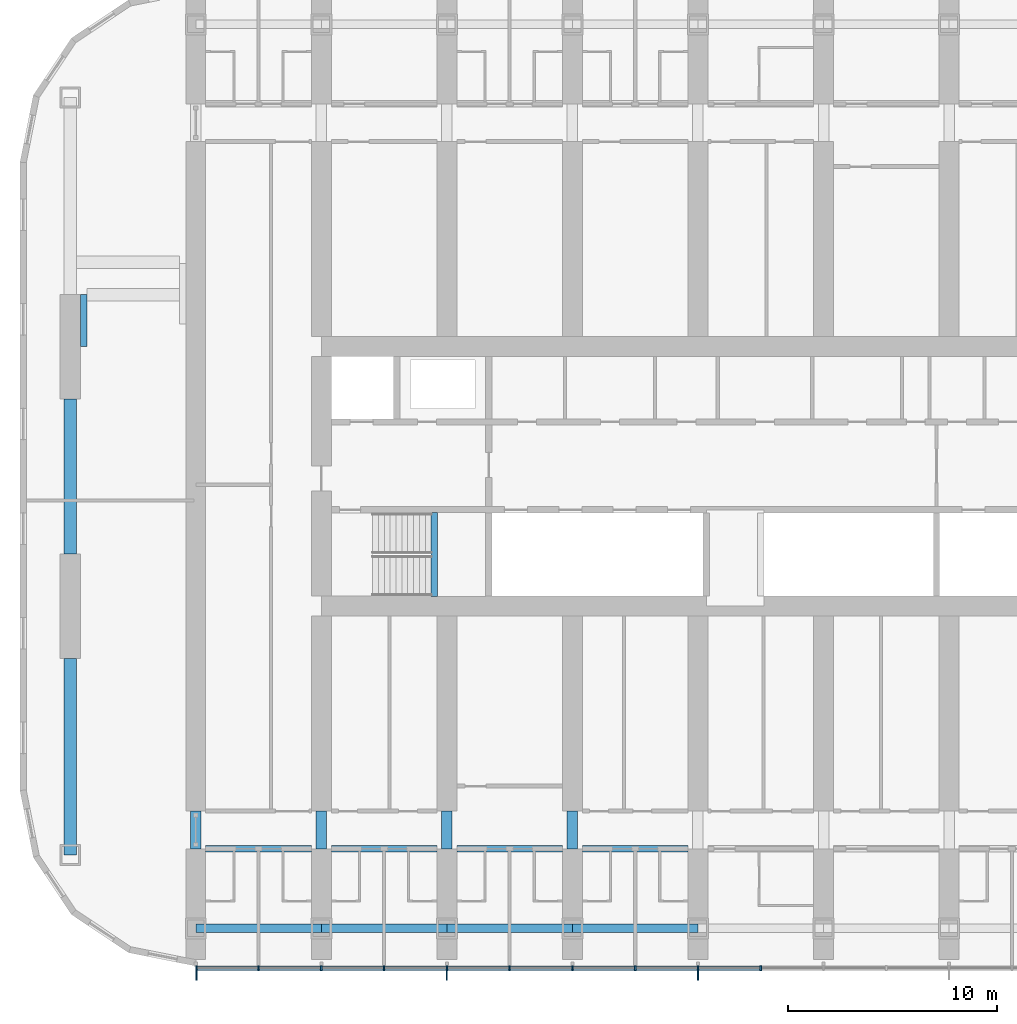
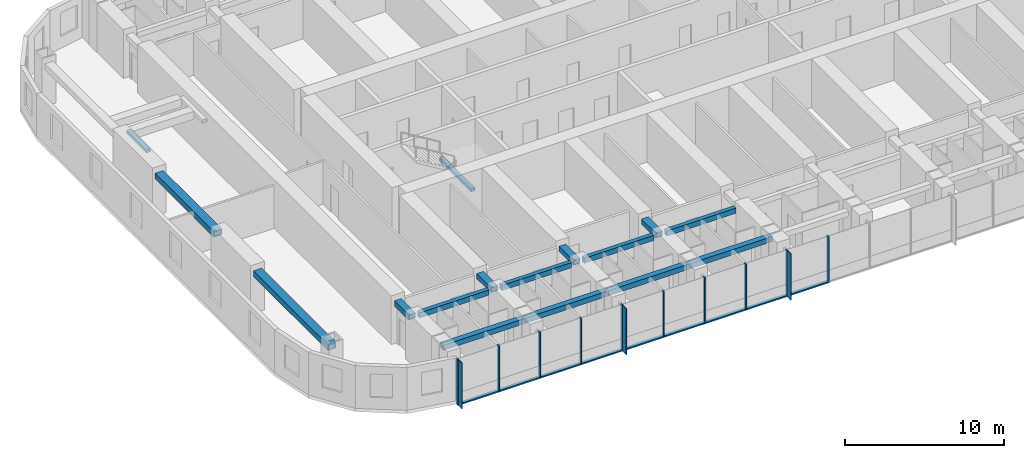
# One storey, part 2 of 22: 22 members, 16 beams, 1 element without a shape of its own.
"""IFC4 building model written with IfcOpenShell, lengths in metres."""

from ifc_helpers import new_model, si_unit, direction, frame, origin, origin_2d, place, context, subcontext, project, spatial, rectangle, hollow_rectangle, extrude, material, material_profile, profile_set, type_object, element, aggregate, save


model = new_model("IFC4")

# Units and contexts
model_context = context("Model", 3, precision=1e-05, world=origin(), true_north=direction((0.0, 1.0)))
body_context = subcontext(model_context, "Body", "Model", "MODEL_VIEW")
ifc_project = project(units=[si_unit("LENGTHUNIT", "METRE"), si_unit("AREAUNIT", "SQUARE_METRE"), si_unit("VOLUMEUNIT", "CUBIC_METRE"), si_unit("PLANEANGLEUNIT", "RADIAN"), si_unit("MASSUNIT", "GRAM", prefix="KILO")], contexts=[model_context])

# Site, building, storey
site_placement = place(None, origin())
site = spatial("IfcSite", under=ifc_project, at=site_placement, CompositionType="ELEMENT")
building_placement = place(site_placement, origin())
building = spatial("IfcBuilding", under=site, at=building_placement, Name="Orbita Commons", CompositionType="ELEMENT")
storey_placement = place(building_placement, frame((0.0, 0.0, 80.64990234375)))
storey = spatial("IfcBuildingStorey", under=building, at=storey_placement, Name="L19", CompositionType="ELEMENT", Elevation=80.64990234375)

# Curtain wall, members
ifc_material_1 = material(Name="Anodised aluminium frame, pale silver", Category="aluminium")
curtain_wall_type = type_object("IfcCurtainWallType", Name="Unitised curtain wall CW-T, vision and spandrel", PredefinedType="NOTDEFINED", material=ifc_material_1)
curtain_wall_placement = place(storey_placement, origin())
curtain_wall = element("IfcCurtainWall", 1, at=curtain_wall_placement, inside=storey, type_object=curtain_wall_type, Name="Curtain wall south L19", PredefinedType="NOTDEFINED")
ifc_material_2 = material(Name="Anodised aluminium, pale silver", Category="aluminium")
ifc_material_profile_1 = material_profile(ifc_material_2, rectangle(XDim=0.080078125, YDim=0.219970703125, at=origin_2d()), Name="AL 80x220")
ifc_profile_set_1 = profile_set([ifc_material_profile_1], Name="Anodised aluminium, pale silver")
member_type_1 = type_object("IfcMemberType", Name="Curtain wall mullion 80x220", PredefinedType="MULLION", material=ifc_profile_set_1)
member_1_placement = place(storey_placement, frame((12.0400390625, 8.489990234375, -0.25), z_axis=(0.0, 0.0, 1.0), x_axis=(1.0, 0.0, 0.0)))
member_1 = element("IfcMember", 2, at=member_1_placement, type_object=member_type_1, Name="Mullion 1 CW-L19-S", PredefinedType="MULLION", context=body_context, shape_type="SweptSolid", body=[
    extrude(rectangle(XDim=0.080078125, YDim=0.219970703125, at=origin_2d()), origin(), (0.0, 0.0, 1.0), 3.550048828125),
])
member_2_placement = place(storey_placement, frame((15.0, 8.489990234375, -0.25), z_axis=(0.0, 0.0, 1.0), x_axis=(1.0, 0.0, 0.0)))
member_2 = element("IfcMember", 3, at=member_2_placement, type_object=member_type_1, Name="Mullion 2 CW-L19-S", PredefinedType="MULLION", context=body_context, shape_type="SweptSolid", body=[
    extrude(rectangle(XDim=0.080078125, YDim=0.219970703125, at=origin_2d()), origin(), (0.0, 0.0, 1.0), 3.550048828125),
])
member_3_placement = place(storey_placement, frame((18.0, 8.489990234375, -0.25), z_axis=(0.0, 0.0, 1.0), x_axis=(1.0, 0.0, 0.0)))
member_3 = element("IfcMember", 4, at=member_3_placement, type_object=member_type_1, Name="Mullion 3 CW-L19-S", PredefinedType="MULLION", context=body_context, shape_type="SweptSolid", body=[
    extrude(rectangle(XDim=0.080078125, YDim=0.219970703125, at=origin_2d()), origin(), (0.0, 0.0, 1.0), 3.550048828125),
])
member_4_placement = place(storey_placement, frame((21.0, 8.489990234375, -0.25), z_axis=(0.0, 0.0, 1.0), x_axis=(1.0, 0.0, 0.0)))
member_4 = element("IfcMember", 5, at=member_4_placement, type_object=member_type_1, Name="Mullion 4 CW-L19-S", PredefinedType="MULLION", context=body_context, shape_type="SweptSolid", body=[
    extrude(rectangle(XDim=0.080078125, YDim=0.219970703125, at=origin_2d()), origin(), (0.0, 0.0, 1.0), 3.550048828125),
])
member_5_placement = place(storey_placement, frame((24.0, 8.489990234375, -0.25), z_axis=(0.0, 0.0, 1.0), x_axis=(1.0, 0.0, 0.0)))
member_5 = element("IfcMember", 6, at=member_5_placement, type_object=member_type_1, Name="Mullion 5 CW-L19-S", PredefinedType="MULLION", context=body_context, shape_type="SweptSolid", body=[
    extrude(rectangle(XDim=0.080078125, YDim=0.219970703125, at=origin_2d()), origin(), (0.0, 0.0, 1.0), 3.550048828125),
])
member_6_placement = place(storey_placement, frame((27.0, 8.489990234375, -0.25), z_axis=(0.0, 0.0, 1.0), x_axis=(1.0, 0.0, 0.0)))
member_6 = element("IfcMember", 7, at=member_6_placement, type_object=member_type_1, Name="Mullion 6 CW-L19-S", PredefinedType="MULLION", context=body_context, shape_type="SweptSolid", body=[
    extrude(rectangle(XDim=0.080078125, YDim=0.219970703125, at=origin_2d()), origin(), (0.0, 0.0, 1.0), 3.550048828125),
])
member_7_placement = place(storey_placement, frame((30.0, 8.489990234375, -0.25), z_axis=(0.0, 0.0, 1.0), x_axis=(1.0, 0.0, 0.0)))
member_7 = element("IfcMember", 8, at=member_7_placement, type_object=member_type_1, Name="Mullion 7 CW-L19-S", PredefinedType="MULLION", context=body_context, shape_type="SweptSolid", body=[
    extrude(rectangle(XDim=0.080078125, YDim=0.219970703125, at=origin_2d()), origin(), (0.0, 0.0, 1.0), 3.550048828125),
])
member_8_placement = place(storey_placement, frame((33.0, 8.489990234375, -0.25), z_axis=(0.0, 0.0, 1.0), x_axis=(1.0, 0.0, 0.0)))
member_8 = element("IfcMember", 9, at=member_8_placement, type_object=member_type_1, Name="Mullion 8 CW-L19-S", PredefinedType="MULLION", context=body_context, shape_type="SweptSolid", body=[
    extrude(rectangle(XDim=0.080078125, YDim=0.219970703125, at=origin_2d()), origin(), (0.0, 0.0, 1.0), 3.550048828125),
])
member_9_placement = place(storey_placement, frame((36.0, 8.489990234375, -0.25), z_axis=(0.0, 0.0, 1.0), x_axis=(1.0, 0.0, 0.0)))
member_9 = element("IfcMember", 10, at=member_9_placement, type_object=member_type_1, Name="Mullion 9 CW-L19-S", PredefinedType="MULLION", context=body_context, shape_type="SweptSolid", body=[
    extrude(rectangle(XDim=0.080078125, YDim=0.219970703125, at=origin_2d()), origin(), (0.0, 0.0, 1.0), 3.550048828125),
])
member_10_placement = place(storey_placement, frame((39.0, 8.489990234375, -0.25), z_axis=(0.0, 0.0, 1.0), x_axis=(1.0, 0.0, 0.0)))
member_10 = element("IfcMember", 11, at=member_10_placement, type_object=member_type_1, Name="Mullion 10 CW-L19-S", PredefinedType="MULLION", context=body_context, shape_type="SweptSolid", body=[
    extrude(rectangle(XDim=0.080078125, YDim=0.219970703125, at=origin_2d()), origin(), (0.0, 0.0, 1.0), 3.550048828125),
])
ifc_material_3 = material(Name="Anodised aluminium, pale silver", Category="aluminium")
ifc_material_profile_2 = material_profile(ifc_material_3, rectangle(XDim=0.219970703125, YDim=0.10009765625, at=origin_2d()), Name="AL 220x100")
ifc_profile_set_2 = profile_set([ifc_material_profile_2], Name="Anodised aluminium, pale silver")
member_type_2 = type_object("IfcMemberType", Name="Curtain wall stack transom 220x100", PredefinedType="USERDEFINED", material=ifc_profile_set_2)
member_11_placement = place(storey_placement, frame((12.080078125, 8.489990234375, -0.199951171875), z_axis=(1.0, 0.0, 0.0), x_axis=(0.0, 1.0, 0.0)))
member_11 = element("IfcMember", 12, at=member_11_placement, type_object=member_type_2, Name="Transom 1.1 CW-L19-S", ObjectType="TRANSOM", PredefinedType="USERDEFINED", context=body_context, shape_type="SweptSolid", body=[
    extrude(rectangle(XDim=0.219970703125, YDim=0.10009765625, at=origin_2d()), origin(), (0.0, 0.0, 1.0), 2.8798828125),
])
member_12_placement = place(storey_placement, frame((15.0400390625, 8.489990234375, -0.199951171875), z_axis=(1.0, 0.0, 0.0), x_axis=(0.0, 1.0, 0.0)))
member_12 = element("IfcMember", 13, at=member_12_placement, type_object=member_type_2, Name="Transom 2.1 CW-L19-S", ObjectType="TRANSOM", PredefinedType="USERDEFINED", context=body_context, shape_type="SweptSolid", body=[
    extrude(rectangle(XDim=0.219970703125, YDim=0.10009765625, at=origin_2d()), origin(), (0.0, 0.0, 1.0), 2.919921875),
])
member_13_placement = place(storey_placement, frame((18.0400390625, 8.489990234375, -0.199951171875), z_axis=(1.0, 0.0, 0.0), x_axis=(0.0, 1.0, 0.0)))
member_13 = element("IfcMember", 14, at=member_13_placement, type_object=member_type_2, Name="Transom 3.1 CW-L19-S", ObjectType="TRANSOM", PredefinedType="USERDEFINED", context=body_context, shape_type="SweptSolid", body=[
    extrude(rectangle(XDim=0.219970703125, YDim=0.10009765625, at=origin_2d()), origin(), (0.0, 0.0, 1.0), 2.919921875),
])
member_14_placement = place(storey_placement, frame((21.0400390625, 8.489990234375, -0.199951171875), z_axis=(1.0, 0.0, 0.0), x_axis=(0.0, 1.0, 0.0)))
member_14 = element("IfcMember", 15, at=member_14_placement, type_object=member_type_2, Name="Transom 4.1 CW-L19-S", ObjectType="TRANSOM", PredefinedType="USERDEFINED", context=body_context, shape_type="SweptSolid", body=[
    extrude(rectangle(XDim=0.219970703125, YDim=0.10009765625, at=origin_2d()), origin(), (0.0, 0.0, 1.0), 2.919921875),
])
member_15_placement = place(storey_placement, frame((24.0400390625, 8.489990234375, -0.199951171875), z_axis=(1.0, 0.0, 0.0), x_axis=(0.0, 1.0, 0.0)))
member_15 = element("IfcMember", 16, at=member_15_placement, type_object=member_type_2, Name="Transom 5.1 CW-L19-S", ObjectType="TRANSOM", PredefinedType="USERDEFINED", context=body_context, shape_type="SweptSolid", body=[
    extrude(rectangle(XDim=0.219970703125, YDim=0.10009765625, at=origin_2d()), origin(), (0.0, 0.0, 1.0), 2.919921875),
])
member_16_placement = place(storey_placement, frame((27.0400390625, 8.489990234375, -0.199951171875), z_axis=(1.0, 0.0, 0.0), x_axis=(0.0, 1.0, 0.0)))
member_16 = element("IfcMember", 17, at=member_16_placement, type_object=member_type_2, Name="Transom 6.1 CW-L19-S", ObjectType="TRANSOM", PredefinedType="USERDEFINED", context=body_context, shape_type="SweptSolid", body=[
    extrude(rectangle(XDim=0.219970703125, YDim=0.10009765625, at=origin_2d()), origin(), (0.0, 0.0, 1.0), 2.919921875),
])
member_17_placement = place(storey_placement, frame((30.0400390625, 8.489990234375, -0.199951171875), z_axis=(1.0, 0.0, 0.0), x_axis=(0.0, 1.0, 0.0)))
member_17 = element("IfcMember", 18, at=member_17_placement, type_object=member_type_2, Name="Transom 7.1 CW-L19-S", ObjectType="TRANSOM", PredefinedType="USERDEFINED", context=body_context, shape_type="SweptSolid", body=[
    extrude(rectangle(XDim=0.219970703125, YDim=0.10009765625, at=origin_2d()), origin(), (0.0, 0.0, 1.0), 2.919921875),
])
member_18_placement = place(storey_placement, frame((33.0400390625, 8.489990234375, -0.199951171875), z_axis=(1.0, 0.0, 0.0), x_axis=(0.0, 1.0, 0.0)))
member_18 = element("IfcMember", 19, at=member_18_placement, type_object=member_type_2, Name="Transom 8.1 CW-L19-S", ObjectType="TRANSOM", PredefinedType="USERDEFINED", context=body_context, shape_type="SweptSolid", body=[
    extrude(rectangle(XDim=0.219970703125, YDim=0.10009765625, at=origin_2d()), origin(), (0.0, 0.0, 1.0), 2.919921875),
])
member_19_placement = place(storey_placement, frame((36.0400390625, 8.489990234375, -0.199951171875), z_axis=(1.0, 0.0, 0.0), x_axis=(0.0, 1.0, 0.0)))
member_19 = element("IfcMember", 20, at=member_19_placement, type_object=member_type_2, Name="Transom 9.1 CW-L19-S", ObjectType="TRANSOM", PredefinedType="USERDEFINED", context=body_context, shape_type="SweptSolid", body=[
    extrude(rectangle(XDim=0.219970703125, YDim=0.10009765625, at=origin_2d()), origin(), (0.0, 0.0, 1.0), 2.919921875),
])

# Beams
ifc_material_4 = material(Name="Steel ASTM A572 Gr 50 welded plate", Category="steel")
ifc_material_profile_3 = material_profile(ifc_material_4, hollow_rectangle(XDim=0.300048828125, YDim=0.25, WallThickness=0.02490234375, at=origin_2d()), Name="BOX 250x300x25")
ifc_profile_set_3 = profile_set([ifc_material_profile_3], Name="Steel ASTM A572 Gr 50 welded plate")
beam_type_1 = type_object("IfcBeamType", Name="Stair landing beam steel BOX 250x300x25", PredefinedType="BEAM", material=ifc_profile_set_3)
beam_1_placement = place(storey_placement, frame((23.39990234375, 26.260009765625, 1.550048828125), z_axis=(0.0, 1.0, 0.0), x_axis=(-1.0, 0.0, 0.0)))
element("IfcBeam", 21, at=beam_1_placement, inside=storey, type_object=beam_type_1, Name="Stair S1 landing beam L19 1", PredefinedType="BEAM", context=body_context, shape_type="SweptSolid", body=[
    extrude(hollow_rectangle(XDim=0.300048828125, YDim=0.25, WallThickness=0.02490234375, at=origin_2d()), origin(), (0.0, 0.0, 1.0), 4.0048828125),
])
ifc_material_5 = material(Name="Steel ASTM A572 Gr 50 welded plate", Category="steel")
ifc_material_profile_4 = material_profile(ifc_material_5, hollow_rectangle(XDim=0.300048828125, YDim=0.39990234375, WallThickness=0.0400390625, at=origin_2d()), Name="BOX 400x300x40")
ifc_profile_set_4 = profile_set([ifc_material_profile_4], Name="Steel ASTM A572 Gr 50 welded plate")
beam_type_2 = type_object("IfcBeamType", Name="Steel corridor link BOX 400x300x40", PredefinedType="BEAM", material=ifc_profile_set_4)
for number, where, z_axis, x_axis, name in (
    (22, (12.47509765625, 14.199951171875, 3.10009765625), (1.0, 0.0, 0.0), (0.0, 1.0, 0.0), "Corridor beam SA 3-4 L19"),
    (23, (18.47509765625, 14.199951171875, 3.10009765625), (1.0, 0.0, 0.0), (0.0, 1.0, 0.0), "Corridor beam SA 4-5 L19"),
    (24, (24.47509765625, 14.199951171875, 3.10009765625), (1.0, 0.0, 0.0), (0.0, 1.0, 0.0), "Corridor beam SA 5-6 L19"),
    (25, (30.47509765625, 14.199951171875, 3.10009765625), (1.0, 0.0, 0.0), (0.0, 1.0, 0.0), "Corridor beam SA 6-7 L19"),
):
    element("IfcBeam", number, at=place(storey_placement, frame(where, z_axis=z_axis, x_axis=x_axis)), inside=storey, type_object=beam_type_2, Name=name, PredefinedType="BEAM", context=body_context, shape_type="SweptSolid", body=[
        extrude(hollow_rectangle(XDim=0.300048828125, YDim=0.39990234375, WallThickness=0.0400390625, at=origin_2d()), origin(), (0.0, 0.0, 1.0), 5.0498046875),
    ])
ifc_material_6 = material(Name="Steel ASTM A572 Gr 50 welded plate", Category="steel")
ifc_material_profile_5 = material_profile(ifc_material_6, hollow_rectangle(XDim=0.5, YDim=0.39990234375, WallThickness=0.050048828125, at=origin_2d()), Name="BOX 400x500x50")
ifc_profile_set_5 = profile_set([ifc_material_profile_5], Name="Steel ASTM A572 Gr 50 welded plate")
beam_type_3 = type_object("IfcBeamType", Name="Steel coupling link BOX 400x500x50", PredefinedType="LINTEL", material=ifc_profile_set_5)
for number, where, z_axis, x_axis, name in (
    (26, (12.0, 14.199951171875, 3.10009765625), (0.0, 1.0, 0.0), (-1.0, 0.0, 0.0), "Coupling beam 3 south L19"),
    (27, (18.0, 14.199951171875, 3.10009765625), (0.0, 1.0, 0.0), (-1.0, 0.0, 0.0), "Coupling beam 4 south L19"),
    (28, (24.0, 14.199951171875, 3.10009765625), (0.0, 1.0, 0.0), (-1.0, 0.0, 0.0), "Coupling beam 5 south L19"),
    (29, (30.0, 14.199951171875, 3.10009765625), (0.0, 1.0, 0.0), (-1.0, 0.0, 0.0), "Coupling beam 6 south L19"),
):
    element("IfcBeam", number, at=place(storey_placement, frame(where, z_axis=z_axis, x_axis=x_axis)), inside=storey, type_object=beam_type_3, Name=name, PredefinedType="LINTEL", context=body_context, shape_type="SweptSolid", body=[
        extrude(hollow_rectangle(XDim=0.5, YDim=0.39990234375, WallThickness=0.050048828125, at=origin_2d()), origin(), (0.0, 0.0, 1.0), 1.800048828125),
    ])
ifc_material_7 = material(Name="Steel ASTM A572 Gr 50 welded plate", Category="steel")
ifc_material_profile_6 = material_profile(ifc_material_7, hollow_rectangle(XDim=0.60009765625, YDim=0.449951171875, WallThickness=0.06005859375, at=origin_2d()), Name="BOX 450x600x60")
ifc_profile_set_6 = profile_set([ifc_material_profile_6], Name="Steel ASTM A572 Gr 50 welded plate")
beam_type_4 = type_object("IfcBeamType", Name="Steel end frame link BOX 450x600x60", PredefinedType="BEAM", material=ifc_profile_set_6)
beam_2_placement = place(storey_placement, frame((6.0, 13.89990234375, 3.0751953125), z_axis=(0.0, 1.0, 0.0), x_axis=(-1.0, 0.0, 0.0)))
element("IfcBeam", 30, at=beam_2_placement, inside=storey, type_object=beam_type_4, Name="End frame beam 2 B-C L19", PredefinedType="BEAM", context=body_context, shape_type="SweptSolid", body=[
    extrude(hollow_rectangle(XDim=0.60009765625, YDim=0.449951171875, WallThickness=0.06005859375, at=origin_2d()), origin(), (0.0, 0.0, 1.0), 9.400146484375),
])
beam_3_placement = place(storey_placement, frame((6.0, 28.300048828125, 3.0751953125), z_axis=(0.0, 1.0, 0.0), x_axis=(-1.0, 0.0, 0.0)))
element("IfcBeam", 31, at=beam_3_placement, inside=storey, type_object=beam_type_4, Name="End frame beam 2 C-D L19", PredefinedType="BEAM", context=body_context, shape_type="SweptSolid", body=[
    extrude(hollow_rectangle(XDim=0.60009765625, YDim=0.449951171875, WallThickness=0.06005859375, at=origin_2d()), origin(), (0.0, 0.0, 1.0), 7.39990234375),
])
ifc_material_8 = material(Name="Steel ASTM A572 Gr 50 welded plate", Category="steel")
ifc_material_profile_7 = material_profile(ifc_material_8, hollow_rectangle(XDim=0.39990234375, YDim=0.39990234375, WallThickness=0.0400390625, at=origin_2d()), Name="BOX 400x400x40")
ifc_profile_set_7 = profile_set([ifc_material_profile_7], Name="Steel ASTM A572 Gr 50 welded plate")
beam_type_5 = type_object("IfcBeamType", Name="Steel spandrel BOX 400x400x40", PredefinedType="SPANDREL", material=ifc_profile_set_7)
for number, where, z_axis, x_axis, name in (
    (32, (12.0, 10.39990234375, 3.10009765625), (1.0, 0.0, 0.0), (0.0, 1.0, 0.0), "Spandrel beam B 3-4 L19"),
    (33, (18.0, 10.39990234375, 3.10009765625), (1.0, 0.0, 0.0), (0.0, 1.0, 0.0), "Spandrel beam B 4-5 L19"),
    (34, (24.0, 10.39990234375, 3.10009765625), (1.0, 0.0, 0.0), (0.0, 1.0, 0.0), "Spandrel beam B 5-6 L19"),
    (35, (30.0, 10.39990234375, 3.10009765625), (1.0, 0.0, 0.0), (0.0, 1.0, 0.0), "Spandrel beam B 6-7 L19"),
):
    element("IfcBeam", number, at=place(storey_placement, frame(where, z_axis=z_axis, x_axis=x_axis)), inside=storey, type_object=beam_type_5, Name=name, PredefinedType="SPANDREL", context=body_context, shape_type="SweptSolid", body=[
        extrude(hollow_rectangle(XDim=0.39990234375, YDim=0.39990234375, WallThickness=0.0400390625, at=origin_2d()), origin(), (0.0, 0.0, 1.0), 6.0),
    ])
ifc_material_9 = material(Name="Steel ASTM A572 Gr 50 welded plate", Category="steel")
ifc_material_profile_8 = material_profile(ifc_material_9, hollow_rectangle(XDim=0.300048828125, YDim=0.25, WallThickness=0.02490234375, at=origin_2d()), Name="BOX 250x300x25")
ifc_profile_set_8 = profile_set([ifc_material_profile_8], Name="Steel ASTM A572 Gr 50 welded plate")
beam_type_6 = type_object("IfcBeamType", Name="Trimmer ledger beam BOX 250x300x25", PredefinedType="BEAM", material=ifc_profile_set_8)
beam_4_placement = place(storey_placement, frame((6.64990234375, 38.199951171875, 3.175048828125), z_axis=(0.0, 1.0, 0.0), x_axis=(-1.0, 0.0, 0.0)))
element("IfcBeam", 36, at=beam_4_placement, inside=storey, type_object=beam_type_6, Name="Neighbourhood stair L20 to L21 trimmer ledger 1W", PredefinedType="BEAM", context=body_context, shape_type="SweptSolid", body=[
    extrude(hollow_rectangle(XDim=0.300048828125, YDim=0.25, WallThickness=0.02490234375, at=origin_2d()), origin(), (0.0, 0.0, 1.0), 2.5),
])

# Member
ifc_material_10 = material(Name="Anodised aluminium, pale silver", Category="aluminium")
ifc_material_profile_9 = material_profile(ifc_material_10, rectangle(XDim=0.06005859375, YDim=0.449951171875, at=origin_2d()), Name="FIN 60x450")
ifc_profile_set_9 = profile_set([ifc_material_profile_9], Name="Anodised aluminium, pale silver")
member_type_3 = type_object("IfcMemberType", Name="Vertical fin 60x450 pale aluminium", PredefinedType="USERDEFINED", material=ifc_profile_set_9)
member_20_placement = place(storey_placement, frame((12.0400390625, 8.155029296875, -0.25), z_axis=(0.0, 0.0, 1.0), x_axis=(1.0, 0.0, 0.0)))
member_20 = element("IfcMember", 37, at=member_20_placement, type_object=member_type_3, Name="Fin 1 CW-L19-S", ObjectType="FIN", PredefinedType="USERDEFINED", context=body_context, shape_type="SweptSolid", body=[
    extrude(rectangle(XDim=0.06005859375, YDim=0.449951171875, at=origin_2d()), origin(), (0.0, 0.0, 1.0), 3.550048828125),
])

member_21_placement = place(storey_placement, frame((24.0, 8.155029296875, -0.25), z_axis=(0.0, 0.0, 1.0), x_axis=(1.0, 0.0, 0.0)))
member_21 = element("IfcMember", 38, at=member_21_placement, type_object=member_type_3, Name="Fin 5 CW-L19-S", ObjectType="FIN", PredefinedType="USERDEFINED", context=body_context, shape_type="SweptSolid", body=[
    extrude(rectangle(XDim=0.06005859375, YDim=0.449951171875, at=origin_2d()), origin(), (0.0, 0.0, 1.0), 3.550048828125),
])

member_22_placement = place(storey_placement, frame((36.0, 8.155029296875, -0.25), z_axis=(0.0, 0.0, 1.0), x_axis=(1.0, 0.0, 0.0)))
member_22 = element("IfcMember", 39, at=member_22_placement, type_object=member_type_3, Name="Fin 9 CW-L19-S", ObjectType="FIN", PredefinedType="USERDEFINED", context=body_context, shape_type="SweptSolid", body=[
    extrude(rectangle(XDim=0.06005859375, YDim=0.449951171875, at=origin_2d()), origin(), (0.0, 0.0, 1.0), 3.550048828125),
])

aggregate(curtain_wall, [member_1, member_20, member_2, member_3, member_4, member_5, member_21, member_6, member_7, member_8, member_9, member_22, member_10, member_11, member_12, member_13, member_14, member_15, member_16, member_17, member_18, member_19])

save(model, "model.ifc")
